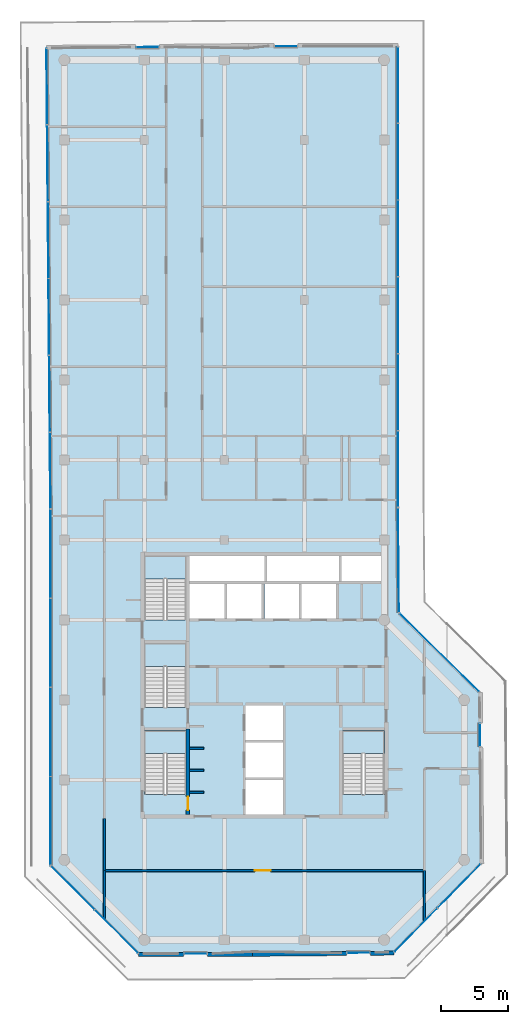
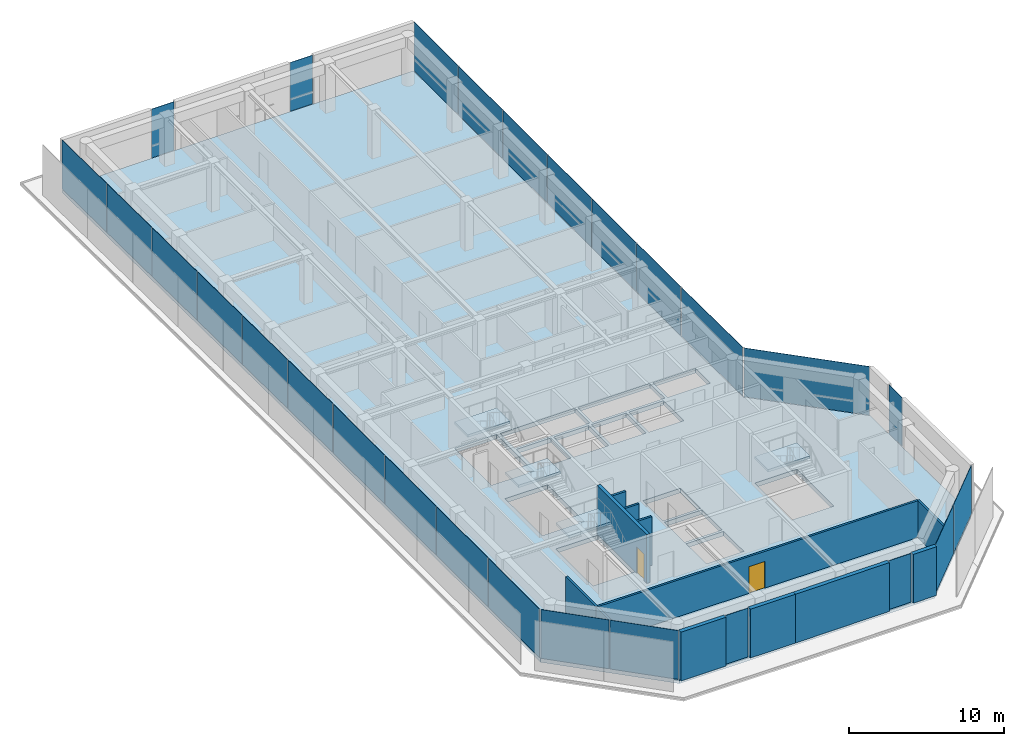
# One storey, part 13 of 18: 27 plates, 12 walls, 5 slabs, 2 doors, 2 openings, 16 elements without a shape of their own.
"""IFC4 building model written with IfcOpenShell, lengths in metres."""

from ifc_helpers import new_model, si_unit, direction, frame, frame_2d, origin, origin_2d, place, context, subcontext, project, spatial, polyline, rectangle, outline, extrude, material, layer, layer_set, type_object, element, fill, aggregate, save


model = new_model("IFC4")

# Units and contexts
model_context = context("Model", 3, precision=1e-05, world=origin(), true_north=direction((0.0, 1.0)))
body_context = subcontext(model_context, "Body", "Model", "MODEL_VIEW")
ifc_project = project(units=[si_unit("LENGTHUNIT", "METRE"), si_unit("AREAUNIT", "SQUARE_METRE"), si_unit("VOLUMEUNIT", "CUBIC_METRE"), si_unit("PLANEANGLEUNIT", "RADIAN"), si_unit("MASSUNIT", "GRAM", prefix="KILO")], contexts=[model_context])

# Site, building, storey
site_placement = place(None, origin())
site = spatial("IfcSite", under=ifc_project, at=site_placement, CompositionType="ELEMENT")
building_placement = place(site_placement, origin())
building = spatial("IfcBuilding", under=site, at=building_placement, Name="Welwitschia Terrace Campus", CompositionType="ELEMENT")
storey_placement = place(building_placement, frame((0.0, 0.0, 289.39990234375)))
storey = spatial("IfcBuildingStorey", under=building, at=storey_placement, Name="L64", CompositionType="ELEMENT", Elevation=289.39990234375)

# Curtain wall, plates
ifc_material_1 = material(Name="Bronze anodised aluminium", Category="aluminium")
ifc_layer_1 = layer(ifc_material_1, 0.1201171875)
ifc_layer_set_1 = layer_set([ifc_layer_1], Name="Bronze anodised aluminium")
curtain_wall_type = type_object("IfcCurtainWallType", Name="Curtain wall CW2 tower 6000", PredefinedType="NOTDEFINED", material=ifc_layer_set_1)
curtain_wall_1_placement = place(storey_placement, origin())
curtain_wall_1 = element("IfcCurtainWall", 1, at=curtain_wall_1_placement, inside=storey, type_object=curtain_wall_type, Name="CW L64.0.0", PredefinedType="NOTDEFINED")
ifc_material_2 = material(Name="Tinted bronze-grey glass", Category="glass")
ifc_layer_2 = layer(ifc_material_2, 0.028076171875)
ifc_layer_set_2 = layer_set([ifc_layer_2], Name="Tinted bronze-grey glass")
plate_type = type_object("IfcPlateType", Name="Glass panel 28 tinted", PredefinedType="CURTAIN_PANEL", material=ifc_layer_set_2)
plate_1_placement = place(storey_placement, frame((-1.306396484375, 60.00146484375, 0.0), z_axis=(0.0, 0.0, 1.0), x_axis=(0.008726535498, -0.999961923064, 0.0)))
plate_1 = element("IfcPlate", 2, at=plate_1_placement, type_object=plate_type, Name="Panel L64.0.0.0", PredefinedType="CURTAIN_PANEL", context=body_context, shape_type="SweptSolid", body=[
    extrude(rectangle(XDim=5.6728515625, YDim=0.028076171875, at=origin_2d()), origin(), (0.0, 0.0, 1.0), 3.85009765625),
])
plate_2_placement = place(storey_placement, frame((-1.25634765625, 54.25390625, 0.0), z_axis=(0.0, 0.0, 1.0), x_axis=(0.008726535498, -0.999961923064, 0.0)))
plate_2 = element("IfcPlate", 3, at=plate_2_placement, type_object=plate_type, Name="Panel L64.0.0.1", PredefinedType="CURTAIN_PANEL", context=body_context, shape_type="SweptSolid", body=[
    extrude(rectangle(XDim=5.70263671875, YDim=0.028076171875, at=origin_2d()), origin(), (0.0, 0.0, 1.0), 3.85009765625),
])
plate_3_placement = place(storey_placement, frame((-1.2060546875, 48.491455078125, 0.0), z_axis=(0.0, 0.0, 1.0), x_axis=(0.008726535498, -0.999961923064, 0.0)))
plate_3 = element("IfcPlate", 4, at=plate_3_placement, type_object=plate_type, Name="Panel L64.0.0.2", PredefinedType="CURTAIN_PANEL", context=body_context, shape_type="SweptSolid", body=[
    extrude(rectangle(XDim=5.70263671875, YDim=0.028076171875, at=origin_2d()), origin(), (0.0, 0.0, 1.0), 3.85009765625),
])
plate_4_placement = place(storey_placement, frame((-1.15576171875, 42.72900390625, 0.0), z_axis=(0.0, 0.0, 1.0), x_axis=(0.008726535498, -0.999961923064, 0.0)))
plate_4 = element("IfcPlate", 5, at=plate_4_placement, type_object=plate_type, Name="Panel L64.0.0.3", PredefinedType="CURTAIN_PANEL", context=body_context, shape_type="SweptSolid", body=[
    extrude(rectangle(XDim=5.70263671875, YDim=0.028076171875, at=origin_2d()), origin(), (0.0, 0.0, 1.0), 3.85009765625),
])
plate_5_placement = place(storey_placement, frame((-1.10546875, 36.96630859375, 0.0), z_axis=(0.0, 0.0, 1.0), x_axis=(0.008726535498, -0.999961923064, 0.0)))
plate_5 = element("IfcPlate", 6, at=plate_5_placement, type_object=plate_type, Name="Panel L64.0.0.4", PredefinedType="CURTAIN_PANEL", context=body_context, shape_type="SweptSolid", body=[
    extrude(rectangle(XDim=5.70263671875, YDim=0.028076171875, at=origin_2d()), origin(), (0.0, 0.0, 1.0), 3.85009765625),
])
plate_6_placement = place(storey_placement, frame((-1.05517578125, 31.218994140625, 0.0), z_axis=(0.0, 0.0, 1.0), x_axis=(0.008726535498, -0.999961923064, 0.0)))
plate_6 = element("IfcPlate", 7, at=plate_6_placement, type_object=plate_type, Name="Panel L64.0.0.5", PredefinedType="CURTAIN_PANEL", context=body_context, shape_type="SweptSolid", body=[
    extrude(rectangle(XDim=5.6728515625, YDim=0.028076171875, at=origin_2d()), origin(), (0.0, 0.0, 1.0), 3.85009765625),
])
aggregate(curtain_wall_1, [plate_1, plate_2, plate_3, plate_4, plate_5, plate_6])

curtain_wall_2_placement = place(storey_placement, origin())
curtain_wall_2 = element("IfcCurtainWall", 8, at=curtain_wall_2_placement, inside=storey, type_object=curtain_wall_type, Name="CW L64.1.0", PredefinedType="NOTDEFINED")
plate_7_placement = place(storey_placement, frame((-1.030029296875, 24.9638671875, 0.0), z_axis=(0.0, 0.0, 1.0), x_axis=(0.0, -1.0, 0.0)))
plate_7 = element("IfcPlate", 9, at=plate_7_placement, type_object=plate_type, Name="Panel L64.1.0.0", PredefinedType="CURTAIN_PANEL", context=body_context, shape_type="SweptSolid", body=[
    extrude(rectangle(XDim=6.597412109375, YDim=0.028076171875, at=origin_2d()), origin(), (0.0, 0.0, 1.0), 3.85009765625),
])
plate_8_placement = place(storey_placement, frame((-1.030029296875, 18.291748046875, 0.0), z_axis=(0.0, 0.0, 1.0), x_axis=(0.0, -1.0, 0.0)))
plate_8 = element("IfcPlate", 10, at=plate_8_placement, type_object=plate_type, Name="Panel L64.1.0.1", PredefinedType="CURTAIN_PANEL", context=body_context, shape_type="SweptSolid", body=[
    extrude(rectangle(XDim=6.627197265625, YDim=0.028076171875, at=origin_2d()), origin(), (0.0, 0.0, 1.0), 3.85009765625),
])
plate_9_placement = place(storey_placement, frame((-1.030029296875, 11.604248046875, 0.0), z_axis=(0.0, 0.0, 1.0), x_axis=(0.0, -1.0, 0.0)))
plate_9 = element("IfcPlate", 11, at=plate_9_placement, type_object=plate_type, Name="Panel L64.1.0.2", PredefinedType="CURTAIN_PANEL", context=body_context, shape_type="SweptSolid", body=[
    extrude(rectangle(XDim=6.627197265625, YDim=0.028076171875, at=origin_2d()), origin(), (0.0, 0.0, 1.0), 3.85009765625),
])
plate_10_placement = place(storey_placement, frame((-1.030029296875, 4.93212890625, 0.0), z_axis=(0.0, 0.0, 1.0), x_axis=(0.0, -1.0, 0.0)))
plate_10 = element("IfcPlate", 12, at=plate_10_placement, type_object=plate_type, Name="Panel L64.1.0.3", PredefinedType="CURTAIN_PANEL", context=body_context, shape_type="SweptSolid", body=[
    extrude(rectangle(XDim=6.597412109375, YDim=0.028076171875, at=origin_2d()), origin(), (0.0, 0.0, 1.0), 3.85009765625),
])
aggregate(curtain_wall_2, [plate_7, plate_8, plate_9, plate_10])

curtain_wall_3_placement = place(storey_placement, origin())
curtain_wall_3 = element("IfcCurtainWall", 13, at=curtain_wall_3_placement, inside=storey, type_object=curtain_wall_type, Name="CW L64.2.0", PredefinedType="NOTDEFINED")
plate_11_placement = place(storey_placement, frame((0.63134765625, -0.088134765625, 0.0), z_axis=(0.0, 0.0, 1.0), x_axis=(0.707106781187, -0.707106781187, 0.0)))
plate_11 = element("IfcPlate", 14, at=plate_11_placement, type_object=plate_type, Name="Panel L64.2.0.0", PredefinedType="CURTAIN_PANEL", context=body_context, shape_type="SweptSolid", body=[
    extrude(rectangle(XDim=4.579345703125, YDim=0.028076171875, at=origin_2d()), origin(), (0.0, 0.0, 1.0), 3.85009765625),
])
plate_12_placement = place(storey_placement, frame((3.911865234375, -3.36865234375, 0.0), z_axis=(0.0, 0.0, 1.0), x_axis=(0.707106781187, -0.707106781187, 0.0)))
plate_12 = element("IfcPlate", 15, at=plate_12_placement, type_object=plate_type, Name="Panel L64.2.0.1", PredefinedType="CURTAIN_PANEL", context=body_context, shape_type="SweptSolid", body=[
    extrude(rectangle(XDim=4.579345703125, YDim=0.028076171875, at=origin_2d()), origin(), (0.0, 0.0, 1.0), 3.85009765625),
])
aggregate(curtain_wall_3, [plate_11, plate_12])

# Curtain wall, plate
curtain_wall_4_placement = place(storey_placement, origin())
curtain_wall_4 = element("IfcCurtainWall", 16, at=curtain_wall_4_placement, inside=storey, type_object=curtain_wall_type, Name="CW L64.3.S0", PredefinedType="NOTDEFINED")
plate_13_placement = place(storey_placement, frame((9.84619140625, -5.030029296875, 0.0), z_axis=(0.0, 0.0, 1.0), x_axis=(1.0, 0.0, 0.0)))
plate_13 = element("IfcPlate", 17, at=plate_13_placement, type_object=plate_type, Name="Panel L64.3.S0.0", PredefinedType="CURTAIN_PANEL", context=body_context, shape_type="SweptSolid", body=[
    extrude(rectangle(XDim=1.679931640625, YDim=0.028076171875, at=origin_2d()), origin(), (0.0, 0.0, 1.0), 3.85009765625),
])
aggregate(curtain_wall_4, [plate_13])

curtain_wall_5_placement = place(storey_placement, origin())
curtain_wall_5 = element("IfcCurtainWall", 18, at=curtain_wall_5_placement, inside=storey, type_object=curtain_wall_type, Name="CW L64.4.S0", PredefinedType="NOTDEFINED")
plate_14_placement = place(storey_placement, frame((22.068115234375, -4.960693359375, 0.0), z_axis=(0.0, 0.0, 1.0), x_axis=(0.999961923064, 0.008726535498, 0.0)))
plate_14 = element("IfcPlate", 19, at=plate_14_placement, type_object=plate_type, Name="Panel L64.4.S0.0", PredefinedType="CURTAIN_PANEL", context=body_context, shape_type="SweptSolid", body=[
    extrude(rectangle(XDim=1.679931640625, YDim=0.028076171875, at=origin_2d()), origin(), (0.0, 0.0, 1.0), 3.85009765625),
])
aggregate(curtain_wall_5, [plate_14])

# Curtain wall, plates
curtain_wall_6_placement = place(storey_placement, origin())
curtain_wall_6 = element("IfcCurtainWall", 20, at=curtain_wall_6_placement, inside=storey, type_object=curtain_wall_type, Name="CW L64.5.0", PredefinedType="NOTDEFINED")
plate_15_placement = place(storey_placement, frame((26.36474609375, -3.26171875, 0.0), z_axis=(0.0, 0.0, 1.0), x_axis=(0.7009092643, 0.713250449154, 0.0)))
plate_15 = element("IfcPlate", 21, at=plate_15_placement, type_object=plate_type, Name="Panel L64.5.0.0", PredefinedType="CURTAIN_PANEL", context=body_context, shape_type="SweptSolid", body=[
    extrude(rectangle(XDim=4.579345703125, YDim=0.028076171875, at=origin_2d()), origin(), (0.0, 0.0, 1.0), 3.85009765625),
])
plate_16_placement = place(storey_placement, frame((29.616455078125, 0.04736328125, 0.0), z_axis=(0.0, 0.0, 1.0), x_axis=(0.7009092643, 0.713250449154, 0.0)))
plate_16 = element("IfcPlate", 22, at=plate_16_placement, type_object=plate_type, Name="Panel L64.5.0.1", PredefinedType="CURTAIN_PANEL", context=body_context, shape_type="SweptSolid", body=[
    extrude(rectangle(XDim=4.579345703125, YDim=0.028076171875, at=origin_2d()), origin(), (0.0, 0.0, 1.0), 3.85009765625),
])
aggregate(curtain_wall_6, [plate_15, plate_16])

# Curtain wall, plate
curtain_wall_7_placement = place(storey_placement, origin())
curtain_wall_7 = element("IfcCurtainWall", 23, at=curtain_wall_7_placement, inside=storey, type_object=curtain_wall_type, Name="CW L64.6.S0", PredefinedType="NOTDEFINED")
plate_17_placement = place(storey_placement, frame((31.17919921875, 11.36279296875, 0.0), z_axis=(0.0, 0.0, 1.0), x_axis=(-0.008726535498, 0.999961923064, 0.0)))
plate_17 = element("IfcPlate", 24, at=plate_17_placement, type_object=plate_type, Name="Panel L64.6.S0.0", PredefinedType="CURTAIN_PANEL", context=body_context, shape_type="SweptSolid", body=[
    extrude(rectangle(XDim=1.679931640625, YDim=0.028076171875, at=origin_2d()), origin(), (0.0, 0.0, 1.0), 3.85009765625),
])
aggregate(curtain_wall_7, [plate_17])

curtain_wall_8_placement = place(storey_placement, origin())
curtain_wall_8 = element("IfcCurtainWall", 25, at=curtain_wall_8_placement, inside=storey, type_object=curtain_wall_type, Name="CW L64.7.0", PredefinedType="NOTDEFINED")
plate_18_placement = place(storey_placement, frame((28.125, 17.5498046875, 0.0), z_axis=(0.0, 0.0, 1.0), x_axis=(-0.713250449154, 0.7009092643, 0.0)))
plate_18 = element("IfcPlate", 26, at=plate_18_placement, type_object=plate_type, Name="Panel L64.7.0.0", PredefinedType="CURTAIN_PANEL", context=body_context, shape_type="SweptSolid", body=[
    extrude(rectangle(XDim=8.365234375, YDim=0.028076171875, at=origin_2d()), origin(), (0.0, 0.0, 1.0), 3.85009765625),
])
aggregate(curtain_wall_8, [plate_18])

curtain_wall_9_placement = place(storey_placement, origin())
curtain_wall_9 = element("IfcCurtainWall", 27, at=curtain_wall_9_placement, inside=storey, type_object=curtain_wall_type, Name="CW L64.8.0", PredefinedType="NOTDEFINED")
plate_19_placement = place(storey_placement, frame((25.064453125, 24.47998046875, 0.0), z_axis=(0.0, 0.0, 1.0), x_axis=(-0.008726535498, 0.999961923064, 0.0)))
plate_19 = element("IfcPlate", 28, at=plate_19_placement, type_object=plate_type, Name="Panel L64.8.0.0", PredefinedType="CURTAIN_PANEL", context=body_context, shape_type="SweptSolid", body=[
    extrude(rectangle(XDim=7.793212890625, YDim=0.028076171875, at=origin_2d()), origin(), (0.0, 0.0, 1.0), 3.85009765625),
])
aggregate(curtain_wall_9, [plate_19])

# Curtain wall, plates
curtain_wall_10_placement = place(storey_placement, origin())
curtain_wall_10 = element("IfcCurtainWall", 29, at=curtain_wall_10_placement, inside=storey, type_object=curtain_wall_type, Name="CW L64.9.0", PredefinedType="NOTDEFINED")
plate_20_placement = place(storey_placement, frame((25.030029296875, 31.334228515625, 0.0), z_axis=(0.0, 0.0, 1.0), x_axis=(0.0, 1.0, 0.0)))
plate_20 = element("IfcPlate", 30, at=plate_20_placement, type_object=plate_type, Name="Panel L64.9.0.0", PredefinedType="CURTAIN_PANEL", context=body_context, shape_type="SweptSolid", body=[
    extrude(rectangle(XDim=5.675537109375, YDim=0.028076171875, at=origin_2d()), origin(), (0.0, 0.0, 1.0), 3.85009765625),
])
plate_21_placement = place(storey_placement, frame((25.030029296875, 37.084716796875, 0.0), z_axis=(0.0, 0.0, 1.0), x_axis=(0.0, 1.0, 0.0)))
plate_21 = element("IfcPlate", 31, at=plate_21_placement, type_object=plate_type, Name="Panel L64.9.0.1", PredefinedType="CURTAIN_PANEL", context=body_context, shape_type="SweptSolid", body=[
    extrude(rectangle(XDim=5.70556640625, YDim=0.028076171875, at=origin_2d()), origin(), (0.0, 0.0, 1.0), 3.85009765625),
])
plate_22_placement = place(storey_placement, frame((25.030029296875, 42.850341796875, 0.0), z_axis=(0.0, 0.0, 1.0), x_axis=(0.0, 1.0, 0.0)))
plate_22 = element("IfcPlate", 32, at=plate_22_placement, type_object=plate_type, Name="Panel L64.9.0.2", PredefinedType="CURTAIN_PANEL", context=body_context, shape_type="SweptSolid", body=[
    extrude(rectangle(XDim=5.70556640625, YDim=0.028076171875, at=origin_2d()), origin(), (0.0, 0.0, 1.0), 3.85009765625),
])
plate_23_placement = place(storey_placement, frame((25.030029296875, 48.615966796875, 0.0), z_axis=(0.0, 0.0, 1.0), x_axis=(0.0, 1.0, 0.0)))
plate_23 = element("IfcPlate", 33, at=plate_23_placement, type_object=plate_type, Name="Panel L64.9.0.3", PredefinedType="CURTAIN_PANEL", context=body_context, shape_type="SweptSolid", body=[
    extrude(rectangle(XDim=5.70556640625, YDim=0.028076171875, at=origin_2d()), origin(), (0.0, 0.0, 1.0), 3.85009765625),
])
plate_24_placement = place(storey_placement, frame((25.030029296875, 54.381591796875, 0.0), z_axis=(0.0, 0.0, 1.0), x_axis=(0.0, 1.0, 0.0)))
plate_24 = element("IfcPlate", 34, at=plate_24_placement, type_object=plate_type, Name="Panel L64.9.0.4", PredefinedType="CURTAIN_PANEL", context=body_context, shape_type="SweptSolid", body=[
    extrude(rectangle(XDim=5.70556640625, YDim=0.028076171875, at=origin_2d()), origin(), (0.0, 0.0, 1.0), 3.85009765625),
])
plate_25_placement = place(storey_placement, frame((25.030029296875, 60.132080078125, 0.0), z_axis=(0.0, 0.0, 1.0), x_axis=(0.0, 1.0, 0.0)))
plate_25 = element("IfcPlate", 35, at=plate_25_placement, type_object=plate_type, Name="Panel L64.9.0.5", PredefinedType="CURTAIN_PANEL", context=body_context, shape_type="SweptSolid", body=[
    extrude(rectangle(XDim=5.675537109375, YDim=0.028076171875, at=origin_2d()), origin(), (0.0, 0.0, 1.0), 3.85009765625),
])
aggregate(curtain_wall_10, [plate_20, plate_21, plate_22, plate_23, plate_24, plate_25])

# Curtain wall, plate
curtain_wall_11_placement = place(storey_placement, origin())
curtain_wall_11 = element("IfcCurtainWall", 36, at=curtain_wall_11_placement, inside=storey, type_object=curtain_wall_type, Name="CW L64.10.S0", PredefinedType="NOTDEFINED")
plate_26_placement = place(storey_placement, frame((16.623779296875, 63.030029296875, 0.0), z_axis=(0.0, 0.0, 1.0), x_axis=(-1.0, 0.0, 0.0)))
plate_26 = element("IfcPlate", 37, at=plate_26_placement, type_object=plate_type, Name="Panel L64.10.S0.0", PredefinedType="CURTAIN_PANEL", context=body_context, shape_type="SweptSolid", body=[
    extrude(rectangle(XDim=1.679931640625, YDim=0.028076171875, at=origin_2d()), origin(), (0.0, 0.0, 1.0), 3.85009765625),
])
aggregate(curtain_wall_11, [plate_26])

curtain_wall_12_placement = place(storey_placement, origin())
curtain_wall_12 = element("IfcCurtainWall", 38, at=curtain_wall_12_placement, inside=storey, type_object=curtain_wall_type, Name="CW L64.11.S0", PredefinedType="NOTDEFINED")
plate_27_placement = place(storey_placement, frame((6.2451171875, 62.9638671875, 0.0), z_axis=(0.0, 0.0, 1.0), x_axis=(-0.999961923064, -0.008726535498, 0.0)))
plate_27 = element("IfcPlate", 39, at=plate_27_placement, type_object=plate_type, Name="Panel L64.11.S0.0", PredefinedType="CURTAIN_PANEL", context=body_context, shape_type="SweptSolid", body=[
    extrude(rectangle(XDim=1.679931640625, YDim=0.028076171875, at=origin_2d()), origin(), (0.0, 0.0, 1.0), 3.85009765625),
])
aggregate(curtain_wall_12, [plate_27])

# Stair, slab
ifc_material_3 = material(Name="Concrete C40/50", Category="concrete")
stair_type = type_object("IfcStairType", Name="Stair 24R 175 W1500", PredefinedType="HALF_TURN_STAIR", material=ifc_material_3)
stair_1_placement = place(storey_placement, origin())
stair_1 = element("IfcStair", 40, at=stair_1_placement, inside=storey, type_object=stair_type, Name="L64 Exit stair S1", PredefinedType="HALF_TURN_STAIR")
ifc_material_4 = material(Name="Concrete C40/50", Category="concrete")
ifc_layer_3 = layer(ifc_material_4, 0.199951171875)
ifc_layer_set_3 = layer_set([ifc_layer_3], Name="Concrete C40/50")
slab_type_1 = type_object("IfcSlabType", Name="Stair landing RC", PredefinedType="LANDING", material=ifc_layer_set_3)
slab_1_placement = place(storey_placement, frame((0.0, 0.0, 1.900146484375)))
slab_1 = element("IfcSlab", 41, at=slab_1_placement, type_object=slab_type_1, Name="S1 landing 1", PredefinedType="LANDING", context=body_context, shape_type="SweptSolid", body=[
    extrude(outline(polyline([(9.14990234375, 9.97998046875), (9.14990234375, 11.699951171875), (6.0, 11.699951171875), (6.0, 9.97998046875), (9.14990234375, 9.97998046875)])), origin(), (0.0, 0.0, 1.0), 0.199951171875),
])
aggregate(stair_1, [slab_1])

stair_2_placement = place(storey_placement, origin())
stair_2 = element("IfcStair", 42, at=stair_2_placement, inside=storey, type_object=stair_type, Name="L64 Exit stair S3", PredefinedType="HALF_TURN_STAIR")
slab_2_placement = place(storey_placement, frame((0.0, 0.0, 1.900146484375)))
slab_2 = element("IfcSlab", 43, at=slab_2_placement, type_object=slab_type_1, Name="S3 landing 1", PredefinedType="LANDING", context=body_context, shape_type="SweptSolid", body=[
    extrude(outline(polyline([(9.14990234375, 16.530029296875), (9.14990234375, 18.25), (6.0, 18.25), (6.0, 16.530029296875), (9.14990234375, 16.530029296875)])), origin(), (0.0, 0.0, 1.0), 0.199951171875),
])
aggregate(stair_2, [slab_2])

stair_3_placement = place(storey_placement, origin())
stair_3 = element("IfcStair", 44, at=stair_3_placement, inside=storey, type_object=stair_type, Name="L64 Exit stair S4", PredefinedType="HALF_TURN_STAIR")
slab_3_placement = place(storey_placement, frame((0.0, 0.0, 1.900146484375)))
slab_3 = element("IfcSlab", 45, at=slab_3_placement, type_object=slab_type_1, Name="S4 landing 1", PredefinedType="LANDING", context=body_context, shape_type="SweptSolid", body=[
    extrude(outline(polyline([(9.14990234375, 23.080078125), (9.14990234375, 24.800048828125), (6.0, 24.800048828125), (6.0, 23.080078125), (9.14990234375, 23.080078125)])), origin(), (0.0, 0.0, 1.0), 0.199951171875),
])
aggregate(stair_3, [slab_3])

stair_4_placement = place(storey_placement, origin())
stair_4 = element("IfcStair", 46, at=stair_4_placement, inside=storey, type_object=stair_type, Name="L64 Exit stair S2", PredefinedType="HALF_TURN_STAIR")
slab_4_placement = place(storey_placement, frame((0.0, 0.0, 1.900146484375)))
slab_4 = element("IfcSlab", 47, at=slab_4_placement, type_object=slab_type_1, Name="S2 landing 1", PredefinedType="LANDING", context=body_context, shape_type="SweptSolid", body=[
    extrude(outline(polyline([(24.0, 9.97998046875), (24.0, 11.699951171875), (20.85009765625, 11.699951171875), (20.85009765625, 9.97998046875), (24.0, 9.97998046875)])), origin(), (0.0, 0.0, 1.0), 0.199951171875),
])
aggregate(stair_4, [slab_4])

# Slab
ifc_material_5 = material(Name="Concrete C40/50", Category="concrete")
ifc_layer_4 = layer(ifc_material_5, 0.35009765625)
ifc_layer_set_4 = layer_set([ifc_layer_4], Name="Concrete C40/50")
slab_type_2 = type_object("IfcSlabType", Name="Suspended floor slab 350", PredefinedType="FLOOR", material=ifc_layer_set_4)
slab_5_placement = place(storey_placement, frame((0.0, 0.0, -0.349853515625)))
element("IfcSlab", 48, at=slab_5_placement, inside=storey, type_object=slab_type_2, Name="Floor slab L64", PredefinedType="FLOOR", context=body_context, shape_type="SweptSolid", body=[
    extrude(outline(polyline([(13.822021484375, 63.0), (25.0, 63.0), (25.0, 28.436279296875), (25.069091796875, 20.5107421875), (31.121337890625, 14.563232421875), (31.233154296875, 1.7353515625), (24.705078125, -4.90771484375), (14.11865234375, -5.0), (5.585693359375, -5.0), (-1.0, 1.585693359375), (-1.0, 28.32275390625), (-1.301513671875, 62.867919921875), (13.822021484375, 63.0)]), holes=[polyline([(13.60009765625, 8.0), (13.60009765625, 5.39990234375), (16.39990234375, 5.39990234375), (16.39990234375, 8.0), (13.60009765625, 8.0)]), polyline([(9.14990234375, 11.699951171875), (6.0, 11.699951171875), (6.0, 6.902099609375), (9.14990234375, 6.902099609375), (9.14990234375, 11.699951171875)]), polyline([(9.14990234375, 18.25), (6.0, 18.25), (6.0, 13.451904296875), (9.14990234375, 13.451904296875), (9.14990234375, 18.25)]), polyline([(12.0, 22.699951171875), (9.39990234375, 22.699951171875), (9.39990234375, 20.10009765625), (12.0, 20.10009765625), (12.0, 22.699951171875)]), polyline([(14.800048828125, 22.699951171875), (12.199951171875, 22.699951171875), (12.199951171875, 20.10009765625), (14.800048828125, 20.10009765625), (14.800048828125, 22.699951171875)]), polyline([(9.14990234375, 24.800048828125), (6.0, 24.800048828125), (6.0, 20.001953125), (9.14990234375, 20.001953125), (9.14990234375, 24.800048828125)]), polyline([(15.0, 24.800048828125), (9.39990234375, 24.800048828125), (9.39990234375, 22.89990234375), (15.0, 22.89990234375), (15.0, 24.800048828125)]), polyline([(20.85009765625, 11.699951171875), (20.85009765625, 6.902099609375), (24.0, 6.902099609375), (24.0, 11.699951171875), (20.85009765625, 11.699951171875)]), polyline([(16.39990234375, 10.800048828125), (13.60009765625, 10.800048828125), (13.60009765625, 8.199951171875), (16.39990234375, 8.199951171875), (16.39990234375, 10.800048828125)]), polyline([(16.39990234375, 13.60009765625), (13.60009765625, 13.60009765625), (13.60009765625, 11.0), (16.39990234375, 11.0), (16.39990234375, 13.60009765625)]), polyline([(17.60009765625, 22.699951171875), (15.0, 22.699951171875), (15.0, 20.10009765625), (17.60009765625, 20.10009765625), (17.60009765625, 22.699951171875)]), polyline([(20.39990234375, 22.699951171875), (17.800048828125, 22.699951171875), (17.800048828125, 20.10009765625), (20.39990234375, 20.10009765625), (20.39990234375, 22.699951171875)]), polyline([(20.60009765625, 24.800048828125), (15.199951171875, 24.800048828125), (15.199951171875, 22.89990234375), (20.60009765625, 22.89990234375), (20.60009765625, 24.800048828125)]), polyline([(24.0, 24.800048828125), (20.800048828125, 24.800048828125), (20.800048828125, 22.89990234375), (24.0, 22.89990234375), (24.0, 24.800048828125)])]), origin(), (0.0, 0.0, 1.0), 0.349853515625),
])

# Walls
ifc_material_6 = material(Name="Concrete C50/60", Category="concrete")
ifc_layer_5 = layer(ifc_material_6, 0.14990234375)
ifc_layer_set_5 = layer_set([ifc_layer_5], Name="Concrete C50/60")
wall_type_1 = type_object("IfcWallType", Name="Core wall 150 Concrete C50/60", PredefinedType="SHEAR", material=ifc_layer_set_5)
for number, where, z_axis, x_axis, name in (
    (49, (9.39990234375, 7.074951171875, 0.0), (0.0, 0.0, 1.0), (1.0, 0.0, 0.0), "Core wall"),
    (50, (9.39990234375, 8.72509765625, 0.0), (0.0, 0.0, 1.0), (1.0, 0.0, 0.0), "Core wall"),
    (51, (9.39990234375, 10.375, 0.0), (0.0, 0.0, 1.0), (1.0, 0.0, 0.0), "Core wall"),
):
    element("IfcWall", number, at=place(storey_placement, frame(where, z_axis=z_axis, x_axis=x_axis)), inside=storey, type_object=wall_type_1, Name=name, PredefinedType="SHEAR", context=body_context, shape_type="SweptSolid", body=[
        extrude(rectangle(XDim=1.050048828125, YDim=0.14990234375, at=frame_2d((0.52490234375, 0.0))), origin(), (0.0, 0.0, 1.0), 3.85009765625),
    ])

# Wall, opening, door
ifc_material_7 = material(Name="Concrete C50/60", Category="concrete")
ifc_layer_6 = layer(ifc_material_7, 0.25)
ifc_layer_set_6 = layer_set([ifc_layer_6], Name="Concrete C50/60")
wall_type_2 = type_object("IfcWallType", Name="Core wall 250 Concrete C50/60", PredefinedType="SHEAR", material=ifc_layer_set_6)
wall_1_placement = place(storey_placement, frame((9.27490234375, 11.824951171875, 0.0), z_axis=(0.0, 0.0, 1.0), x_axis=(0.0, -1.0, 0.0)))
wall_1 = element("IfcWall", 52, at=wall_1_placement, inside=storey, type_object=wall_type_2, Name="Core wall", PredefinedType="SHEAR", context=body_context, shape_type="SweptSolid", body=[
    extrude(rectangle(XDim=6.425048828125, YDim=0.25, at=frame_2d((3.21240234375, 0.0))), origin(), (0.0, 0.0, 1.0), 3.85009765625),
])
opening_1_placement = place(wall_1_placement, frame((5.074951171875, 0.0, 0.0)))
opening_1 = element("IfcOpeningElement", 53, at=opening_1_placement, cuts=wall_1, Name="Opening DS10", PredefinedType="OPENING", context=body_context, shape_type="SweptSolid", body=[
    extrude(rectangle(XDim=1.0, YDim=2.10009765625, at=frame_2d((0.5, 1.050048828125))), frame((0.0, 0.135009765625, 0.0), z_axis=(0.0, -1.0, 0.0), x_axis=(1.0, 0.0, 0.0)), (0.0, 0.0, 1.0), 0.27001953125),
])
ifc_material_8 = material(Name="Steel S275", Category="steel")
door_type_1 = type_object("IfcDoorType", Name="Core door DS10", OperationType="SINGLE_SWING_LEFT", PredefinedType="DOOR", material=ifc_material_8)
door_1_placement = place(opening_1_placement, origin())
door_1 = element("IfcDoor", 54, at=door_1_placement, inside=storey, type_object=door_type_1, Name="Door S1-FL", OperationType="SINGLE_SWING_RIGHT", OverallHeight=2.10009765625, OverallWidth=1.0, PredefinedType="DOOR", context=body_context, shape_type="SweptSolid", body=[
    extrude(rectangle(XDim=1.0, YDim=2.10009765625, at=frame_2d((0.5, 1.050048828125))), frame((0.0, 0.02490234375, 0.0), z_axis=(0.0, -1.0, 0.0), x_axis=(1.0, 0.0, 0.0)), (0.0, 0.0, 1.0), 0.050048828125),
])
fill(opening_1, door_1)

# Walls
ifc_material_9 = material(Name="Gypsum board on steel studs", Category="steel")
ifc_layer_7 = layer(ifc_material_9, 0.14990234375)
ifc_layer_set_7 = layer_set([ifc_layer_7], Name="Gypsum board on steel studs")
wall_type_3 = type_object("IfcWallType", Name="Corridor partition 150 EI 30", PredefinedType="PARTITIONING", material=ifc_layer_set_7)
wall_2_placement = place(storey_placement, frame((3.0, -2.389892578125, 0.0), z_axis=(0.0, 0.0, 1.0), x_axis=(0.0, 1.0, 0.0)))
element("IfcWall", 55, at=wall_2_placement, inside=storey, type_object=wall_type_3, Name="Partition", PredefinedType="PARTITIONING", context=body_context, shape_type="SweptSolid", body=[
    extrude(rectangle(XDim=3.58984375, YDim=0.14990234375, at=frame_2d((1.794921875, 0.0))), origin(), (0.0, 0.0, 1.0), 2.900146484375),
])
wall_3_placement = place(storey_placement, frame((3.0, 1.199951171875, 0.0), z_axis=(0.0, 0.0, 1.0), x_axis=(0.0, 1.0, 0.0)))
element("IfcWall", 56, at=wall_3_placement, inside=storey, type_object=wall_type_3, Name="Partition", PredefinedType="PARTITIONING", context=body_context, shape_type="SweptSolid", body=[
    extrude(rectangle(XDim=3.900146484375, YDim=0.14990234375, at=frame_2d((1.9501953125, 0.0))), origin(), (0.0, 0.0, 1.0), 2.900146484375),
])
wall_4_placement = place(storey_placement, frame((27.0, -2.5400390625, 0.0), z_axis=(0.0, 0.0, 1.0), x_axis=(0.0, 1.0, 0.0)))
element("IfcWall", 57, at=wall_4_placement, inside=storey, type_object=wall_type_3, Name="Partition", PredefinedType="PARTITIONING", context=body_context, shape_type="SweptSolid", body=[
    extrude(rectangle(XDim=3.739990234375, YDim=0.14990234375, at=frame_2d((1.8701171875, 0.0))), origin(), (0.0, 0.0, 1.0), 2.900146484375),
])

# Wall, opening, door
wall_5_placement = place(storey_placement, frame((27.0, 1.199951171875, 0.0), z_axis=(0.0, 0.0, 1.0), x_axis=(-1.0, 0.0, 0.0)))
wall_5 = element("IfcWall", 58, at=wall_5_placement, inside=storey, type_object=wall_type_3, Name="Partition", PredefinedType="PARTITIONING", context=body_context, shape_type="SweptSolid", body=[
    extrude(rectangle(XDim=24.0, YDim=0.14990234375, at=frame_2d((12.0, 0.0))), origin(), (0.0, 0.0, 1.0), 2.900146484375),
])
opening_2_placement = place(wall_5_placement, frame((11.5, 0.0, 0.0)))
opening_2 = element("IfcOpeningElement", 59, at=opening_2_placement, cuts=wall_5, Name="Opening DI12", PredefinedType="OPENING", context=body_context, shape_type="SweptSolid", body=[
    extrude(rectangle(XDim=1.199951171875, YDim=2.10009765625, at=frame_2d((0.60009765625, 1.050048828125))), frame((0.0, 0.0849609375, 0.0), z_axis=(0.0, -1.0, 0.0), x_axis=(1.0, 0.0, 0.0)), (0.0, 0.0, 1.0), 0.169921875),
])
ifc_material_10 = material(Name="Timber veneered door", Category="wood")
door_type_2 = type_object("IfcDoorType", Name="Interior door DI12", OperationType="NOTDEFINED", PredefinedType="DOOR", material=ifc_material_10)
door_2_placement = place(opening_2_placement, origin())
door_2 = element("IfcDoor", 60, at=door_2_placement, inside=storey, type_object=door_type_2, Name="Door L64 1149", OperationType="SINGLE_SWING_RIGHT", OverallHeight=2.10009765625, OverallWidth=1.199951171875, PredefinedType="DOOR", context=body_context, shape_type="SweptSolid", body=[
    extrude(rectangle(XDim=1.199951171875, YDim=2.10009765625, at=frame_2d((0.60009765625, 1.050048828125))), frame((0.0, 0.02490234375, 0.0), z_axis=(0.0, -1.0, 0.0), x_axis=(1.0, 0.0, 0.0)), (0.0, 0.0, 1.0), 0.050048828125),
])
fill(opening_2, door_2)

# Walls
ifc_material_11 = material(Name="Concrete C40/50", Category="concrete")
ifc_layer_8 = layer(ifc_material_11, 0.300048828125)
ifc_layer_set_8 = layer_set([ifc_layer_8], Name="Concrete C40/50")
wall_type_4 = type_object("IfcWallType", Name="Mass wall 300", PredefinedType="SOLIDWALL", material=ifc_layer_set_8)
wall_6_placement = place(storey_placement, frame((5.573486328125, -5.07958984375, 0.0), z_axis=(0.0, 0.0, 1.0), x_axis=(1.0, 0.0, 0.0)))
element("IfcWall", 61, at=wall_6_placement, inside=storey, type_object=wall_type_4, Name="Mass wall L64.3.0", PredefinedType="SOLIDWALL", context=body_context, shape_type="SweptSolid", body=[
    extrude(rectangle(XDim=3.37255859375, YDim=0.300048828125, at=frame_2d((1.686279296875, 0.0))), origin(), (0.0, 0.0, 1.0), 3.85009765625),
])
wall_7_placement = place(storey_placement, frame((10.74609375, -5.080078125, 0.0), z_axis=(0.0, 0.0, 1.0), x_axis=(1.0, 0.0, 0.0)))
element("IfcWall", 62, at=wall_7_placement, inside=storey, type_object=wall_type_4, Name="Mass wall L64.3.1", PredefinedType="SOLIDWALL", context=body_context, shape_type="SweptSolid", body=[
    extrude(rectangle(XDim=3.372802734375, YDim=0.300048828125, at=frame_2d((1.6865234375, 0.0))), origin(), (0.0, 0.0, 1.0), 3.85009765625),
])
wall_8_placement = place(storey_placement, frame((14.119384765625, -5.080078125, 0.0), z_axis=(0.0, 0.0, 1.0), x_axis=(0.999961916893, 0.008727242608, 0.0)))
element("IfcWall", 63, at=wall_8_placement, inside=storey, type_object=wall_type_4, Name="Mass wall L64.4.0", PredefinedType="SOLIDWALL", context=body_context, shape_type="SweptSolid", body=[
    extrude(rectangle(XDim=7.049560546875, YDim=0.300048828125, at=frame_2d((3.52490234375, 0.0))), origin(), (0.0, 0.0, 1.0), 3.85009765625),
])
wall_9_placement = place(storey_placement, frame((22.968505859375, -5.00244140625, 0.0), z_axis=(0.0, 0.0, 1.0), x_axis=(0.999962584272, 0.008650436755, 0.0)))
element("IfcWall", 64, at=wall_9_placement, inside=storey, type_object=wall_type_4, Name="Mass wall L64.4.1", PredefinedType="SOLIDWALL", context=body_context, shape_type="SweptSolid", body=[
    extrude(rectangle(XDim=1.749755859375, YDim=0.300048828125, at=frame_2d((0.875, 0.0))), origin(), (0.0, 0.0, 1.0), 3.85009765625),
])

save(model, "model.ifc")
